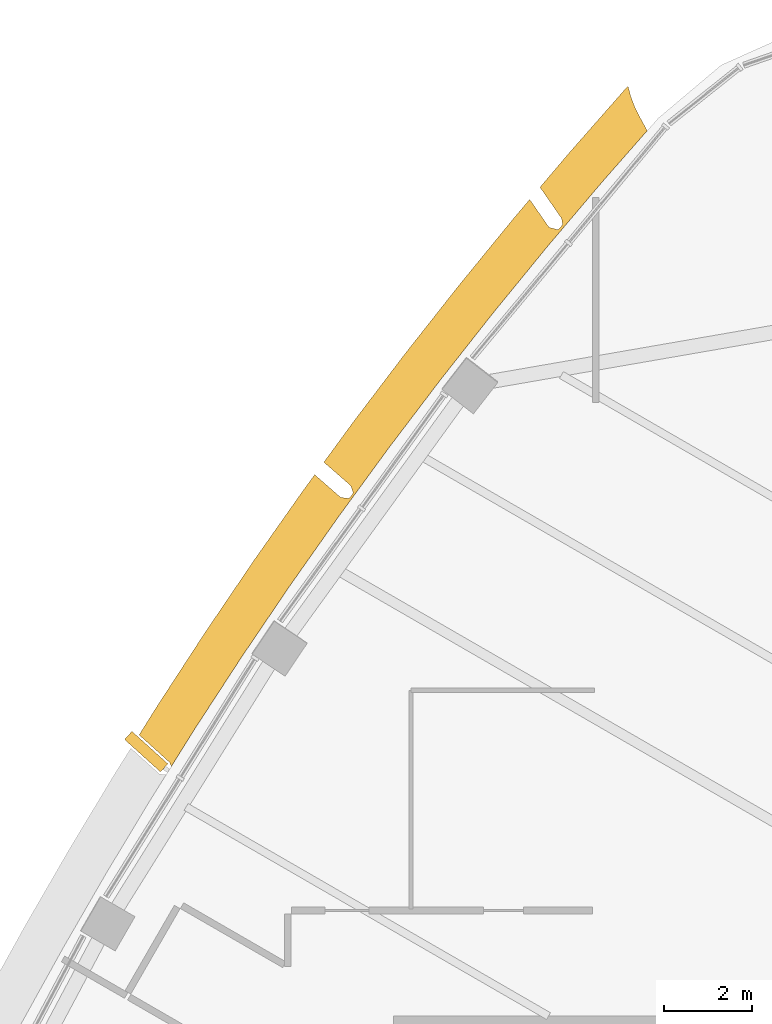
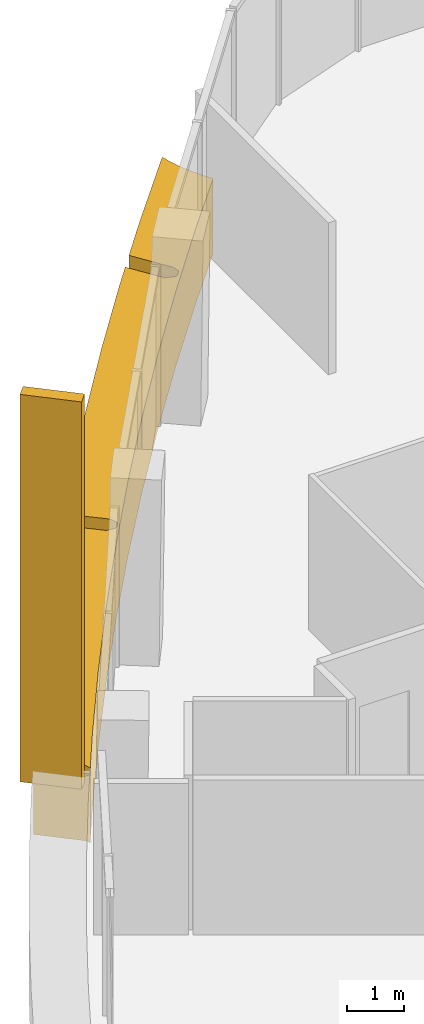
# One storey, part 17 of 18: 2 coverings.
"""IFC4 building model written with IfcOpenShell, lengths in metres."""

from ifc_helpers import new_model, si_unit, direction, frame, origin, origin_2d, place, context, subcontext, project, spatial, polyline, rectangle, outline, extrude, material, layer, layer_set, material_profile, profile_set, type_object, element, save


model = new_model("IFC4")

# Units and contexts
model_context = context("Model", 3, precision=1e-05, world=origin(), true_north=direction((0.0, 1.0)))
body_context = subcontext(model_context, "Body", "Model", "MODEL_VIEW")
ifc_project = project(units=[si_unit("LENGTHUNIT", "METRE"), si_unit("AREAUNIT", "SQUARE_METRE"), si_unit("VOLUMEUNIT", "CUBIC_METRE"), si_unit("PLANEANGLEUNIT", "RADIAN"), si_unit("MASSUNIT", "GRAM", prefix="KILO")], contexts=[model_context])

# Site, building, storey
site_placement = place(None, origin())
site = spatial("IfcSite", under=ifc_project, at=site_placement, CompositionType="ELEMENT")
building_placement = place(site_placement, origin())
building = spatial("IfcBuilding", under=site, at=building_placement, Name="Sierra Prisma Convention Tower", CompositionType="ELEMENT")
storey_placement = place(building_placement, frame((0.0, 0.0, 287.0)))
storey = spatial("IfcBuildingStorey", under=building, at=storey_placement, Name="L65", CompositionType="ELEMENT", Elevation=287.0)

# Coverings
ifc_material_1 = material(Name="Aluminium 6063-T6 bronze anodised", Category="aluminium")
ifc_material_profile = material_profile(ifc_material_1, rectangle(XDim=1.10009765625, YDim=0.25, at=origin_2d()), Name="ALU FIN 1100x250")
ifc_profile_set = profile_set([ifc_material_profile], Name="Aluminium 6063-T6 bronze anodised")
covering_type_1 = type_object("IfcCoveringType", Name="Bronze facade fin", PredefinedType="CLADDING", material=ifc_profile_set)
covering_1_placement = place(storey_placement, frame((-16.615234375, 14.007080078125, -0.300048828125), z_axis=(0.0, 0.0, 1.0), x_axis=(-0.742487931208, 0.669859441981, 0.0)))
element("IfcCovering", 1, at=covering_1_placement, inside=storey, type_object=covering_type_1, Name="Fin L65.52", ObjectType="FIN", PredefinedType="CLADDING", context=body_context, shape_type="SweptSolid", body=[
    extrude(rectangle(XDim=1.10009765625, YDim=0.25, at=origin_2d()), origin(), (0.0, 0.0, 1.0), 8.25),
])
ifc_material_2 = material(Name="Aluminium composite bronze anodised", Category="aluminium")
ifc_layer = layer(ifc_material_2, 1.0)
ifc_layer_set = layer_set([ifc_layer], Name="Bronze spandrel band")
covering_type_2 = type_object("IfcCoveringType", Name="Bronze spandrel band", PredefinedType="CLADDING", material=ifc_layer_set)
covering_2_placement = place(storey_placement, frame((0.0, 0.0, -1.60009765625)))
element("IfcCovering", 2, at=covering_2_placement, inside=storey, type_object=covering_type_2, Name="Spandrel band L65.6", PredefinedType="CLADDING", context=body_context, shape_type="SweptSolid", body=[
    extrude(outline(polyline([(-13.053955078125, 19.93408203125), (-12.787841796875, 20.29833984375), (-12.2080078125, 19.79150390625), (-12.203857421875, 19.788330078125), (-12.19970703125, 19.78564453125), (-12.1953125, 19.783203125), (-12.1904296875, 19.781494140625), (-12.185546875, 19.7802734375), (-12.1806640625, 19.779296875), (-12.031005859375, 19.76220703125), (-12.026123046875, 19.761962890625), (-12.021484375, 19.76220703125), (-12.0166015625, 19.7626953125), (-12.011962890625, 19.763916015625), (-12.007568359375, 19.765380859375), (-12.003173828125, 19.76708984375), (-11.998779296875, 19.76953125), (-11.9951171875, 19.772216796875), (-11.9912109375, 19.775390625), (-11.988037109375, 19.77880859375), (-11.985107421875, 19.782470703125), (-11.926025390625, 19.86328125), (-11.92333984375, 19.8671875), (-11.9208984375, 19.87158203125), (-11.919189453125, 19.8759765625), (-11.917724609375, 19.880615234375), (-11.916748046875, 19.885498046875), (-11.91650390625, 19.890380859375), (-11.91650390625, 19.89501953125), (-11.9169921875, 19.89990234375), (-11.917724609375, 19.90478515625), (-11.919189453125, 19.909423828125), (-11.96337890625, 20.033935546875), (-11.96533203125, 20.038818359375), (-11.9677734375, 20.043212890625), (-11.970703125, 20.04736328125), (-11.973876953125, 20.05126953125), (-11.9775390625, 20.054931640625), (-12.580322265625, 20.581787109375), (-11.91162109375, 21.496826171875), (-11.90087890625, 21.51123046875), (-10.730712890625, 23.05322265625), (-10.719482421875, 23.0673828125), (-9.52197265625, 24.587890625), (-9.5107421875, 24.60205078125), (-8.285888671875, 26.100830078125), (-8.2744140625, 26.11474609375), (-7.90478515625, 26.55078125), (-7.476318359375, 25.932861328125), (-7.473388671875, 25.9287109375), (-7.469970703125, 25.92529296875), (-7.46630859375, 25.921875), (-7.462158203125, 25.919189453125), (-7.4580078125, 25.91650390625), (-7.453369140625, 25.91455078125), (-7.448486328125, 25.9130859375), (-7.28662109375, 25.868408203125), (-7.281982421875, 25.867431640625), (-7.27734375, 25.866943359375), (-7.272705078125, 25.86669921875), (-7.267822265625, 25.8671875), (-7.26318359375, 25.867919921875), (-7.258544921875, 25.868896484375), (-7.254150390625, 25.87060546875), (-7.25, 25.87255859375), (-7.245849609375, 25.875), (-7.241943359375, 25.877685546875), (-7.23828125, 25.881103515625), (-7.235107421875, 25.884521484375), (-7.170654296875, 25.960693359375), (-7.16748046875, 25.964599609375), (-7.1650390625, 25.968994140625), (-7.162841796875, 25.973388671875), (-7.1611328125, 25.97802734375), (-7.159912109375, 25.98291015625), (-7.158935546875, 25.98779296875), (-7.15869140625, 25.99267578125), (-7.158935546875, 25.99755859375), (-7.15966796875, 26.00244140625), (-7.180908203125, 26.113037109375), (-7.181884765625, 26.1181640625), (-7.183837890625, 26.123046875), (-7.18603515625, 26.127685546875), (-7.188720703125, 26.132080078125), (-7.670654296875, 26.8271484375), (-7.02294921875, 27.59130859375), (-7.01123046875, 27.60498046875), (-5.7333984375, 29.05908203125), (-5.669677734375, 29.12158203125), (-5.611328125, 28.900146484375), (-5.526123046875, 28.6708984375), (-5.419189453125, 28.45068359375), (-5.234130859375, 28.1123046875), (-6.260009765625, 26.94482421875), (-7.511474609375, 25.46826171875), (-8.736328125, 23.96923828125), (-9.93408203125, 22.448486328125), (-11.104248046875, 20.90673828125), (-12.24658203125, 19.343994140625), (-13.36083984375, 17.76123046875), (-14.4462890625, 16.15869140625), (-15.5029296875, 14.53662109375), (-16.045654296875, 13.670166015625), (-16.07666015625, 13.749755859375), (-16.07861328125, 13.75390625), (-16.080810546875, 13.758056640625), (-16.08349609375, 13.76171875), (-16.08642578125, 13.765380859375), (-16.089599609375, 13.7685546875), (-16.776123046875, 14.387939453125), (-16.3505859375, 15.0673828125), (-16.3408203125, 15.08251953125), (-15.2841796875, 16.704345703125), (-15.2744140625, 16.719482421875), (-14.188720703125, 18.322021484375), (-14.178466796875, 18.3369140625), (-13.064453125, 19.919677734375), (-13.053955078125, 19.93408203125)])), origin(), (0.0, 0.0, 1.0), 1.60009765625),
])

save(model, "model.ifc")
